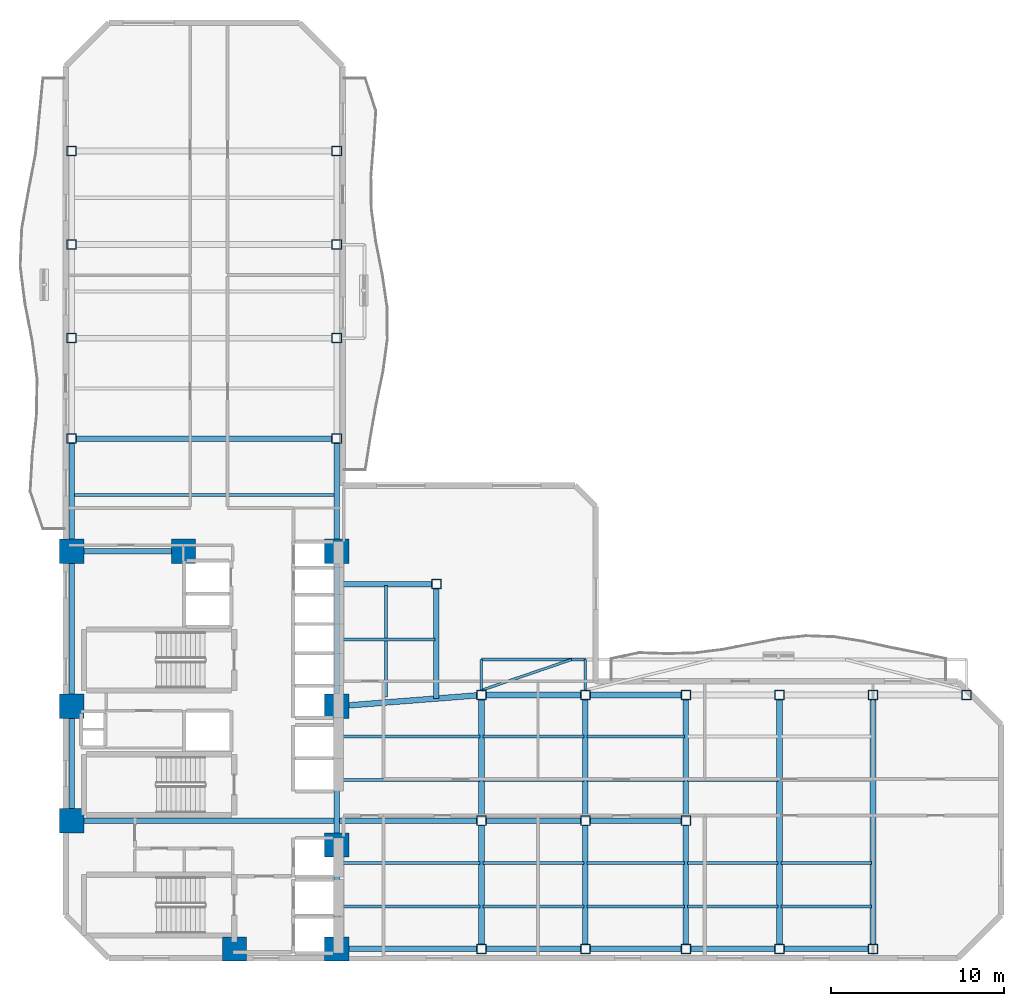
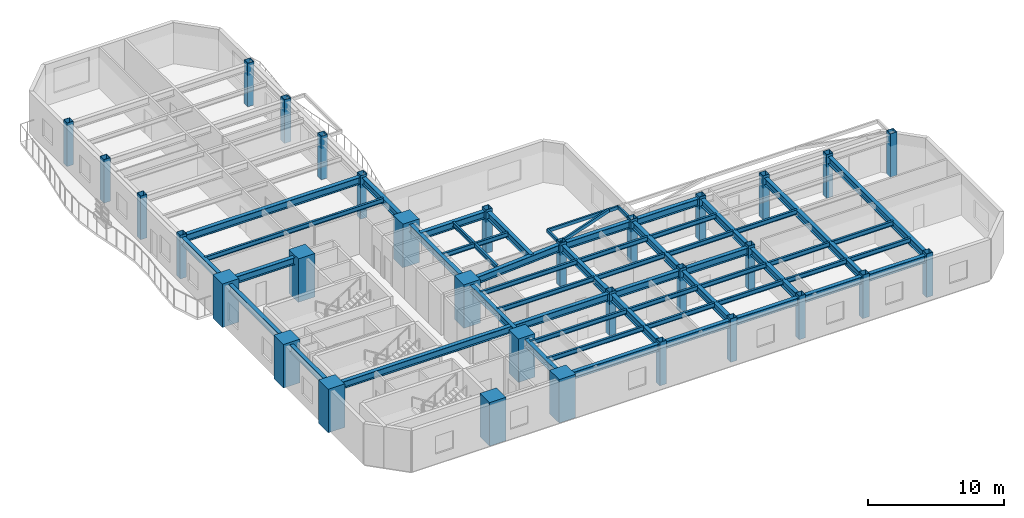
# One storey, part 1 of 10: 54 beams, 32 columns.
"""IFC4 building model written with IfcOpenShell, lengths in metres."""

from ifc_helpers import new_model, si_unit, direction, frame, origin, origin_2d, place, context, subcontext, project, spatial, rectangle, hollow_rectangle, i_section, extrude, material, material_profile, profile_set, type_object, element, save


model = new_model("IFC4")

# Units and contexts
model_context = context("Model", 3, precision=1e-05, world=origin(), true_north=direction((0.0, 1.0)))
body_context = subcontext(model_context, "Body", "Model", "MODEL_VIEW")
ifc_project = project(units=[si_unit("LENGTHUNIT", "METRE"), si_unit("AREAUNIT", "SQUARE_METRE"), si_unit("VOLUMEUNIT", "CUBIC_METRE"), si_unit("PLANEANGLEUNIT", "RADIAN"), si_unit("MASSUNIT", "GRAM", prefix="KILO")], contexts=[model_context])

# Site, building, storey
site_placement = place(None, origin())
site = spatial("IfcSite", under=ifc_project, at=site_placement, CompositionType="ELEMENT")
building_placement = place(site_placement, origin())
building = spatial("IfcBuilding", under=site, at=building_placement, Name="Mawjaban Terraces University", CompositionType="ELEMENT")
storey_placement = place(building_placement, frame((0.0, 0.0, 58.300048828125)))
storey = spatial("IfcBuildingStorey", under=building, at=storey_placement, Name="L13", CompositionType="ELEMENT", Elevation=58.300048828125)

# Columns
ifc_material_1 = material(Name="Concrete C70/85", Category="concrete")
ifc_material_profile_1 = material_profile(ifc_material_1, rectangle(XDim=1.39990234375, YDim=1.39990234375, at=origin_2d()), Name="RC1400X1400")
ifc_profile_set_1 = profile_set([ifc_material_profile_1], Name="Concrete C70/85")
column_type_1 = type_object("IfcColumnType", Name="Col_RC1400X1400", PredefinedType="COLUMN", material=ifc_profile_set_1)
for number, where, z_axis, x_axis, name in (
    (1, (31.75, 0.550048828125, 0.0), (0.0, 0.0, 1.0), (1.0, 0.0, 0.0), "L13 Column CC2"),
    (2, (37.64990234375, 0.550048828125, 0.0), (0.0, 0.0, 1.0), (1.0, 0.0, 0.0), "L13 Column CC3"),
    (3, (22.35009765625, 7.949951171875, 0.0), (0.0, 0.0, 1.0), (1.0, 0.0, 0.0), "L13 Column CC4"),
    (4, (37.64990234375, 6.550048828125, 0.0), (0.0, 0.0, 1.0), (1.0, 0.0, 0.0), "L13 Column CC5"),
    (5, (22.35009765625, 14.550048828125, 0.0), (0.0, 0.0, 1.0), (1.0, 0.0, 0.0), "L13 Column CC6"),
    (6, (37.64990234375, 14.550048828125, 0.0), (0.0, 0.0, 1.0), (1.0, 0.0, 0.0), "L13 Column CC7"),
    (7, (22.35009765625, 23.5, 0.0), (0.0, 0.0, 1.0), (1.0, 0.0, 0.0), "L13 Column CC8"),
    (8, (28.800048828125, 23.5, 0.0), (0.0, 0.0, 1.0), (1.0, 0.0, 0.0), "L13 Column CC9"),
    (9, (37.64990234375, 23.5, 0.0), (0.0, 0.0, 1.0), (1.0, 0.0, 0.0), "L13 Column CC10"),
):
    element("IfcColumn", number, at=place(storey_placement, frame(where, z_axis=z_axis, x_axis=x_axis)), inside=storey, type_object=column_type_1, Name=name, PredefinedType="COLUMN", context=body_context, shape_type="SweptSolid", body=[
        extrude(rectangle(XDim=1.39990234375, YDim=1.39990234375, at=origin_2d()), origin(), (0.0, 0.0, 1.0), 3.89990234375),
    ])
ifc_material_2 = material(Name="Steel EN 10210-1 S355J2H", Category="steel")
ifc_material_profile_2 = material_profile(ifc_material_2, hollow_rectangle(XDim=0.550048828125, YDim=0.550048828125, WallThickness=0.02490234375, at=origin_2d()), Name="SHS550X550X25")
ifc_profile_set_2 = profile_set([ifc_material_profile_2], Name="Steel EN 10210-1 S355J2H")
column_type_2 = type_object("IfcColumnType", Name="Col_SHS550X550X25", PredefinedType="COLUMN", material=ifc_profile_set_2)
for number, where, z_axis, x_axis, name in (
    (10, (46.0, 0.550048828125, 0.0), (0.0, 0.0, 1.0), (1.0, 0.0, 0.0), "L13 Column TE-460-005"),
    (11, (46.0, 7.949951171875, 0.0), (0.0, 0.0, 1.0), (1.0, 0.0, 0.0), "L13 Column TE-460-080"),
    (12, (46.0, 15.199951171875, 0.0), (0.0, 0.0, 1.0), (1.0, 0.0, 0.0), "L13 Column TE-460-152"),
    (13, (52.0, 0.550048828125, 0.0), (0.0, 0.0, 1.0), (1.0, 0.0, 0.0), "L13 Column TE-520-005"),
    (14, (52.0, 7.949951171875, 0.0), (0.0, 0.0, 1.0), (1.0, 0.0, 0.0), "L13 Column TE-520-080"),
    (15, (52.0, 15.199951171875, 0.0), (0.0, 0.0, 1.0), (1.0, 0.0, 0.0), "L13 Column TE-520-152"),
    (16, (57.800048828125, 0.550048828125, 0.0), (0.0, 0.0, 1.0), (1.0, 0.0, 0.0), "L13 Column TE-578-005"),
    (17, (57.800048828125, 7.949951171875, 0.0), (0.0, 0.0, 1.0), (1.0, 0.0, 0.0), "L13 Column TE-578-080"),
    (18, (57.800048828125, 15.199951171875, 0.0), (0.0, 0.0, 1.0), (1.0, 0.0, 0.0), "L13 Column TE-578-152"),
    (19, (63.199951171875, 0.550048828125, 0.0), (0.0, 0.0, 1.0), (1.0, 0.0, 0.0), "L13 Column TE-632-005"),
    (20, (63.199951171875, 15.199951171875, 0.0), (0.0, 0.0, 1.0), (1.0, 0.0, 0.0), "L13 Column TE-632-152"),
    (21, (68.60009765625, 0.550048828125, 0.0), (0.0, 0.0, 1.0), (1.0, 0.0, 0.0), "L13 Column TE-686-005"),
    (22, (68.60009765625, 15.199951171875, 0.0), (0.0, 0.0, 1.0), (1.0, 0.0, 0.0), "L13 Column TE-686-152"),
    (23, (74.0, 15.199951171875, 0.0), (0.0, 0.0, 1.0), (1.0, 0.0, 0.0), "L13 Column TE-740-152"),
    (24, (22.35009765625, 30.0, 0.0), (0.0, 0.0, 1.0), (1.0, 0.0, 0.0), "L13 Column TN-223-300"),
    (25, (37.64990234375, 30.0, 0.0), (0.0, 0.0, 1.0), (1.0, 0.0, 0.0), "L13 Column TN-376-300"),
    (26, (22.35009765625, 35.800048828125, 0.0), (0.0, 0.0, 1.0), (1.0, 0.0, 0.0), "L13 Column TN-223-358"),
    (27, (37.64990234375, 35.800048828125, 0.0), (0.0, 0.0, 1.0), (1.0, 0.0, 0.0), "L13 Column TN-376-358"),
    (28, (22.35009765625, 41.199951171875, 0.0), (0.0, 0.0, 1.0), (1.0, 0.0, 0.0), "L13 Column TN-223-412"),
    (29, (37.64990234375, 41.199951171875, 0.0), (0.0, 0.0, 1.0), (1.0, 0.0, 0.0), "L13 Column TN-376-412"),
    (30, (22.35009765625, 46.60009765625, 0.0), (0.0, 0.0, 1.0), (1.0, 0.0, 0.0), "L13 Column TN-223-466"),
    (31, (37.64990234375, 46.60009765625, 0.0), (0.0, 0.0, 1.0), (1.0, 0.0, 0.0), "L13 Column TN-376-466"),
    (32, (43.39990234375, 21.60009765625, 0.0), (0.0, 0.0, 1.0), (1.0, 0.0, 0.0), "L13 Column TS-434-216"),
):
    element("IfcColumn", number, at=place(storey_placement, frame(where, z_axis=z_axis, x_axis=x_axis)), inside=storey, type_object=column_type_2, Name=name, PredefinedType="COLUMN", context=body_context, shape_type="SweptSolid", body=[
        extrude(hollow_rectangle(XDim=0.550048828125, YDim=0.550048828125, WallThickness=0.02490234375, at=origin_2d()), origin(), (0.0, 0.0, 1.0), 3.89990234375),
    ])

# Beams
ifc_material_profile_3 = material_profile(ifc_material_2, hollow_rectangle(XDim=0.14990234375, YDim=0.300048828125, WallThickness=0.012451171875, at=origin_2d()), Name="RHS300X150X12.5")
ifc_profile_set_3 = profile_set([ifc_material_profile_3], Name="Steel EN 10210-1 S355J2H")
beam_type_1 = type_object("IfcBeamType", Name="BalconyCantileverSpandrel_RHS", PredefinedType="SPANDREL", material=ifc_profile_set_3)
for number, where, z_axis, x_axis, name in (
    (33, (52.0, 15.47509765625, 3.5400390625), (0.0, 1.0, 0.0), (-1.0, 0.0, 0.0), "L13 Exterior Outrigger BAL-L14-N.1"),
    (34, (46.0, 15.47509765625, 3.5400390625), (0.0, 1.0, 0.0), (-1.0, 0.0, 0.0), "L13 Exterior Outrigger TER-L14-CLIMB.1"),
):
    element("IfcBeam", number, at=place(storey_placement, frame(where, z_axis=z_axis, x_axis=x_axis)), inside=storey, type_object=beam_type_1, Name=name, PredefinedType="SPANDREL", context=body_context, shape_type="SweptSolid", body=[
        extrude(hollow_rectangle(XDim=0.14990234375, YDim=0.300048828125, WallThickness=0.012451171875, at=origin_2d()), origin(), (0.0, 0.0, 1.0), 1.77490234375),
    ])
beam_1_placement = place(storey_placement, frame((46.0, 17.25, 3.5400390625), z_axis=(1.0, 0.0, 0.0), x_axis=(0.0, 1.0, 0.0)))
element("IfcBeam", 35, at=beam_1_placement, inside=storey, type_object=beam_type_1, Name="L13 Exterior Edge Spandrel TER-L14-CLIMB", PredefinedType="SPANDREL", context=body_context, shape_type="SweptSolid", body=[
    extrude(hollow_rectangle(XDim=0.14990234375, YDim=0.300048828125, WallThickness=0.012451171875, at=origin_2d()), origin(), (0.0, 0.0, 1.0), 6.0),
])
beam_2_placement = place(storey_placement, frame((46.0, 15.47509765625, 3.5400390625), z_axis=(0.946388293666, 0.323031264141, 0.0), x_axis=(-0.323031264141, 0.946388293666, 0.0)))
element("IfcBeam", 36, at=beam_2_placement, inside=storey, type_object=beam_type_1, Name="L13 Exterior Diagonal Strut TER-L14-CLIMB.1", PredefinedType="SPANDREL", context=body_context, shape_type="SweptSolid", body=[
    extrude(hollow_rectangle(XDim=0.14990234375, YDim=0.300048828125, WallThickness=0.012451171875, at=origin_2d()), origin(), (0.0, 0.0, 1.0), 5.49462890625),
])
ifc_material_3 = material(Name="Steel ASTM A572 Grade 50", Category="steel")
ifc_material_profile_4 = material_profile(ifc_material_3, i_section(OverallWidth=0.3291015625, OverallDepth=0.635009765625, WebThickness=0.017822265625, FlangeThickness=0.031005859375, at=origin_2d()), Name="W610X241")
ifc_profile_set_4 = profile_set([ifc_material_profile_4], Name="Steel ASTM A572 Grade 50")
beam_type_2 = type_object("IfcBeamType", Name="Beam_B_W610X241", PredefinedType="BEAM", material=ifc_profile_set_4)
beam_3_placement = place(storey_placement, frame((38.35009765625, 0.550048828125, 3.3720703125), z_axis=(1.0, 0.0, 0.0), x_axis=(0.0, 1.0, 0.0)))
element("IfcBeam", 37, at=beam_3_placement, inside=storey, type_object=beam_type_2, Name="L13 Beam BM-L13-EW-01", PredefinedType="BEAM", context=body_context, shape_type="SweptSolid", body=[
    extrude(i_section(OverallWidth=0.3291015625, OverallDepth=0.635009765625, WebThickness=0.017822265625, FlangeThickness=0.031005859375, at=origin_2d()), origin(), (0.0, 0.0, 1.0), 7.375),
])
beam_4_placement = place(storey_placement, frame((46.27490234375, 0.550048828125, 3.3720703125), z_axis=(1.0, 0.0, 0.0), x_axis=(0.0, 1.0, 0.0)))
element("IfcBeam", 38, at=beam_4_placement, inside=storey, type_object=beam_type_2, Name="L13 Beam BM-L13-EW-02", PredefinedType="BEAM", context=body_context, shape_type="SweptSolid", body=[
    extrude(i_section(OverallWidth=0.3291015625, OverallDepth=0.635009765625, WebThickness=0.017822265625, FlangeThickness=0.031005859375, at=origin_2d()), origin(), (0.0, 0.0, 1.0), 5.4501953125),
])
beam_5_placement = place(storey_placement, frame((52.27490234375, 0.550048828125, 3.3720703125), z_axis=(1.0, 0.0, 0.0), x_axis=(0.0, 1.0, 0.0)))
element("IfcBeam", 39, at=beam_5_placement, inside=storey, type_object=beam_type_2, Name="L13 Beam BM-L13-EW-03", PredefinedType="BEAM", context=body_context, shape_type="SweptSolid", body=[
    extrude(i_section(OverallWidth=0.3291015625, OverallDepth=0.635009765625, WebThickness=0.017822265625, FlangeThickness=0.031005859375, at=origin_2d()), origin(), (0.0, 0.0, 1.0), 5.25),
])
beam_6_placement = place(storey_placement, frame((58.074951171875, 0.550048828125, 3.3720703125), z_axis=(1.0, 0.0, 0.0), x_axis=(0.0, 1.0, 0.0)))
element("IfcBeam", 40, at=beam_6_placement, inside=storey, type_object=beam_type_2, Name="L13 Beam BM-L13-EW-04", PredefinedType="BEAM", context=body_context, shape_type="SweptSolid", body=[
    extrude(i_section(OverallWidth=0.3291015625, OverallDepth=0.635009765625, WebThickness=0.017822265625, FlangeThickness=0.031005859375, at=origin_2d()), origin(), (0.0, 0.0, 1.0), 4.85009765625),
])
beam_7_placement = place(storey_placement, frame((63.47509765625, 0.550048828125, 3.3720703125), z_axis=(1.0, 0.0, 0.0), x_axis=(0.0, 1.0, 0.0)))
element("IfcBeam", 41, at=beam_7_placement, inside=storey, type_object=beam_type_2, Name="L13 Beam BM-L13-EW-05", PredefinedType="BEAM", context=body_context, shape_type="SweptSolid", body=[
    extrude(i_section(OverallWidth=0.3291015625, OverallDepth=0.635009765625, WebThickness=0.017822265625, FlangeThickness=0.031005859375, at=origin_2d()), origin(), (0.0, 0.0, 1.0), 4.849853515625),
])
beam_8_placement = place(storey_placement, frame((23.050048828125, 7.949951171875, 3.3720703125), z_axis=(1.0, 0.0, 0.0), x_axis=(0.0, 1.0, 0.0)))
element("IfcBeam", 42, at=beam_8_placement, inside=storey, type_object=beam_type_2, Name="L13 Beam BM-L13-EW-06", PredefinedType="BEAM", context=body_context, shape_type="SweptSolid", body=[
    extrude(i_section(OverallWidth=0.3291015625, OverallDepth=0.635009765625, WebThickness=0.017822265625, FlangeThickness=0.031005859375, at=origin_2d()), origin(), (0.0, 0.0, 1.0), 22.675048828125),
])
beam_9_placement = place(storey_placement, frame((46.27490234375, 7.949951171875, 3.3720703125), z_axis=(1.0, 0.0, 0.0), x_axis=(0.0, 1.0, 0.0)))
element("IfcBeam", 43, at=beam_9_placement, inside=storey, type_object=beam_type_2, Name="L13 Beam BM-L13-EW-07", PredefinedType="BEAM", context=body_context, shape_type="SweptSolid", body=[
    extrude(i_section(OverallWidth=0.3291015625, OverallDepth=0.635009765625, WebThickness=0.017822265625, FlangeThickness=0.031005859375, at=origin_2d()), origin(), (0.0, 0.0, 1.0), 5.4501953125),
])
beam_10_placement = place(storey_placement, frame((52.27490234375, 7.949951171875, 3.3720703125), z_axis=(1.0, 0.0, 0.0), x_axis=(0.0, 1.0, 0.0)))
element("IfcBeam", 44, at=beam_10_placement, inside=storey, type_object=beam_type_2, Name="L13 Beam BM-L13-EW-08", PredefinedType="BEAM", context=body_context, shape_type="SweptSolid", body=[
    extrude(i_section(OverallWidth=0.3291015625, OverallDepth=0.635009765625, WebThickness=0.017822265625, FlangeThickness=0.031005859375, at=origin_2d()), origin(), (0.0, 0.0, 1.0), 5.25),
])
beam_11_placement = place(storey_placement, frame((46.27490234375, 15.199951171875, 3.3720703125), z_axis=(1.0, 0.0, 0.0), x_axis=(0.0, 1.0, 0.0)))
element("IfcBeam", 45, at=beam_11_placement, inside=storey, type_object=beam_type_2, Name="L13 Beam BM-L13-EW-09", PredefinedType="BEAM", context=body_context, shape_type="SweptSolid", body=[
    extrude(i_section(OverallWidth=0.3291015625, OverallDepth=0.635009765625, WebThickness=0.017822265625, FlangeThickness=0.031005859375, at=origin_2d()), origin(), (0.0, 0.0, 1.0), 5.4501953125),
])
beam_12_placement = place(storey_placement, frame((52.27490234375, 15.199951171875, 3.3720703125), z_axis=(1.0, 0.0, 0.0), x_axis=(0.0, 1.0, 0.0)))
element("IfcBeam", 46, at=beam_12_placement, inside=storey, type_object=beam_type_2, Name="L13 Beam BM-L13-EW-10", PredefinedType="BEAM", context=body_context, shape_type="SweptSolid", body=[
    extrude(i_section(OverallWidth=0.3291015625, OverallDepth=0.635009765625, WebThickness=0.017822265625, FlangeThickness=0.031005859375, at=origin_2d()), origin(), (0.0, 0.0, 1.0), 5.25),
])
beam_13_placement = place(storey_placement, frame((23.050048828125, 23.5, 3.3720703125), z_axis=(1.0, 0.0, 0.0), x_axis=(0.0, 1.0, 0.0)))
element("IfcBeam", 47, at=beam_13_placement, inside=storey, type_object=beam_type_2, Name="L13 Beam BM-L13-EW-14", PredefinedType="BEAM", context=body_context, shape_type="SweptSolid", body=[
    extrude(i_section(OverallWidth=0.3291015625, OverallDepth=0.635009765625, WebThickness=0.017822265625, FlangeThickness=0.031005859375, at=origin_2d()), origin(), (0.0, 0.0, 1.0), 5.050048828125),
])
beam_14_placement = place(storey_placement, frame((22.625, 30.0, 3.3720703125), z_axis=(1.0, 0.0, 0.0), x_axis=(0.0, 1.0, 0.0)))
element("IfcBeam", 48, at=beam_14_placement, inside=storey, type_object=beam_type_2, Name="L13 Beam BM-L13-EW-15", PredefinedType="BEAM", context=body_context, shape_type="SweptSolid", body=[
    extrude(i_section(OverallWidth=0.3291015625, OverallDepth=0.635009765625, WebThickness=0.017822265625, FlangeThickness=0.031005859375, at=origin_2d()), origin(), (0.0, 0.0, 1.0), 14.75),
])
beam_15_placement = place(storey_placement, frame((22.35009765625, 8.64990234375, 3.3720703125), z_axis=(0.0, 1.0, 0.0), x_axis=(-1.0, 0.0, 0.0)))
element("IfcBeam", 49, at=beam_15_placement, inside=storey, type_object=beam_type_2, Name="L13 Beam BM-L13-NS-01", PredefinedType="BEAM", context=body_context, shape_type="SweptSolid", body=[
    extrude(i_section(OverallWidth=0.3291015625, OverallDepth=0.635009765625, WebThickness=0.017822265625, FlangeThickness=0.031005859375, at=origin_2d()), origin(), (0.0, 0.0, 1.0), 5.2001953125),
])
beam_16_placement = place(storey_placement, frame((22.35009765625, 15.25, 3.3720703125), z_axis=(0.0, 1.0, 0.0), x_axis=(-1.0, 0.0, 0.0)))
element("IfcBeam", 50, at=beam_16_placement, inside=storey, type_object=beam_type_2, Name="L13 Beam BM-L13-NS-02", PredefinedType="BEAM", context=body_context, shape_type="SweptSolid", body=[
    extrude(i_section(OverallWidth=0.3291015625, OverallDepth=0.635009765625, WebThickness=0.017822265625, FlangeThickness=0.031005859375, at=origin_2d()), origin(), (0.0, 0.0, 1.0), 7.550048828125),
])
beam_17_placement = place(storey_placement, frame((22.35009765625, 24.199951171875, 3.3720703125), z_axis=(0.0, 1.0, 0.0), x_axis=(-1.0, 0.0, 0.0)))
element("IfcBeam", 51, at=beam_17_placement, inside=storey, type_object=beam_type_2, Name="L13 Beam BM-L13-NS-03", PredefinedType="BEAM", context=body_context, shape_type="SweptSolid", body=[
    extrude(i_section(OverallWidth=0.3291015625, OverallDepth=0.635009765625, WebThickness=0.017822265625, FlangeThickness=0.031005859375, at=origin_2d()), origin(), (0.0, 0.0, 1.0), 5.525146484375),
])
beam_18_placement = place(storey_placement, frame((37.64990234375, 1.25, 3.3720703125), z_axis=(0.0, 1.0, 0.0), x_axis=(-1.0, 0.0, 0.0)))
element("IfcBeam", 52, at=beam_18_placement, inside=storey, type_object=beam_type_2, Name="L13 Beam BM-L13-NS-07", PredefinedType="BEAM", context=body_context, shape_type="SweptSolid", body=[
    extrude(i_section(OverallWidth=0.3291015625, OverallDepth=0.635009765625, WebThickness=0.017822265625, FlangeThickness=0.031005859375, at=origin_2d()), origin(), (0.0, 0.0, 1.0), 4.60009765625),
])
beam_19_placement = place(storey_placement, frame((37.64990234375, 7.25, 3.3720703125), z_axis=(0.0, 1.0, 0.0), x_axis=(-1.0, 0.0, 0.0)))
element("IfcBeam", 53, at=beam_19_placement, inside=storey, type_object=beam_type_2, Name="L13 Beam BM-L13-NS-08", PredefinedType="BEAM", context=body_context, shape_type="SweptSolid", body=[
    extrude(i_section(OverallWidth=0.3291015625, OverallDepth=0.635009765625, WebThickness=0.017822265625, FlangeThickness=0.031005859375, at=origin_2d()), origin(), (0.0, 0.0, 1.0), 6.60009765625),
])
beam_20_placement = place(storey_placement, frame((37.64990234375, 15.25, 3.3720703125), z_axis=(0.0, 1.0, 0.0), x_axis=(-1.0, 0.0, 0.0)))
element("IfcBeam", 54, at=beam_20_placement, inside=storey, type_object=beam_type_2, Name="L13 Beam BM-L13-NS-09", PredefinedType="BEAM", context=body_context, shape_type="SweptSolid", body=[
    extrude(i_section(OverallWidth=0.3291015625, OverallDepth=0.635009765625, WebThickness=0.017822265625, FlangeThickness=0.031005859375, at=origin_2d()), origin(), (0.0, 0.0, 1.0), 7.550048828125),
])
beam_21_placement = place(storey_placement, frame((37.64990234375, 24.199951171875, 3.3720703125), z_axis=(0.0, 1.0, 0.0), x_axis=(-1.0, 0.0, 0.0)))
element("IfcBeam", 55, at=beam_21_placement, inside=storey, type_object=beam_type_2, Name="L13 Beam BM-L13-NS-10", PredefinedType="BEAM", context=body_context, shape_type="SweptSolid", body=[
    extrude(i_section(OverallWidth=0.3291015625, OverallDepth=0.635009765625, WebThickness=0.017822265625, FlangeThickness=0.031005859375, at=origin_2d()), origin(), (0.0, 0.0, 1.0), 5.525146484375),
])
beam_22_placement = place(storey_placement, frame((46.0, 0.824951171875, 3.3720703125), z_axis=(0.0, 1.0, 0.0), x_axis=(-1.0, 0.0, 0.0)))
element("IfcBeam", 56, at=beam_22_placement, inside=storey, type_object=beam_type_2, Name="L13 Beam BM-L13-NS-14", PredefinedType="BEAM", context=body_context, shape_type="SweptSolid", body=[
    extrude(i_section(OverallWidth=0.3291015625, OverallDepth=0.635009765625, WebThickness=0.017822265625, FlangeThickness=0.031005859375, at=origin_2d()), origin(), (0.0, 0.0, 1.0), 6.85009765625),
])
beam_23_placement = place(storey_placement, frame((46.0, 8.22509765625, 3.3720703125), z_axis=(0.0, 1.0, 0.0), x_axis=(-1.0, 0.0, 0.0)))
element("IfcBeam", 57, at=beam_23_placement, inside=storey, type_object=beam_type_2, Name="L13 Beam BM-L13-NS-15", PredefinedType="BEAM", context=body_context, shape_type="SweptSolid", body=[
    extrude(i_section(OverallWidth=0.3291015625, OverallDepth=0.635009765625, WebThickness=0.017822265625, FlangeThickness=0.031005859375, at=origin_2d()), origin(), (0.0, 0.0, 1.0), 6.699951171875),
])
beam_24_placement = place(storey_placement, frame((52.0, 0.824951171875, 3.3720703125), z_axis=(0.0, 1.0, 0.0), x_axis=(-1.0, 0.0, 0.0)))
element("IfcBeam", 58, at=beam_24_placement, inside=storey, type_object=beam_type_2, Name="L13 Beam BM-L13-NS-16", PredefinedType="BEAM", context=body_context, shape_type="SweptSolid", body=[
    extrude(i_section(OverallWidth=0.3291015625, OverallDepth=0.635009765625, WebThickness=0.017822265625, FlangeThickness=0.031005859375, at=origin_2d()), origin(), (0.0, 0.0, 1.0), 6.85009765625),
])
beam_25_placement = place(storey_placement, frame((52.0, 8.22509765625, 3.3720703125), z_axis=(0.0, 1.0, 0.0), x_axis=(-1.0, 0.0, 0.0)))
element("IfcBeam", 59, at=beam_25_placement, inside=storey, type_object=beam_type_2, Name="L13 Beam BM-L13-NS-17", PredefinedType="BEAM", context=body_context, shape_type="SweptSolid", body=[
    extrude(i_section(OverallWidth=0.3291015625, OverallDepth=0.635009765625, WebThickness=0.017822265625, FlangeThickness=0.031005859375, at=origin_2d()), origin(), (0.0, 0.0, 1.0), 6.699951171875),
])
beam_26_placement = place(storey_placement, frame((57.800048828125, 0.824951171875, 3.3720703125), z_axis=(0.0, 1.0, 0.0), x_axis=(-1.0, 0.0, 0.0)))
element("IfcBeam", 60, at=beam_26_placement, inside=storey, type_object=beam_type_2, Name="L13 Beam BM-L13-NS-18", PredefinedType="BEAM", context=body_context, shape_type="SweptSolid", body=[
    extrude(i_section(OverallWidth=0.3291015625, OverallDepth=0.635009765625, WebThickness=0.017822265625, FlangeThickness=0.031005859375, at=origin_2d()), origin(), (0.0, 0.0, 1.0), 6.85009765625),
])
beam_27_placement = place(storey_placement, frame((57.800048828125, 8.22509765625, 3.3720703125), z_axis=(0.0, 1.0, 0.0), x_axis=(-1.0, 0.0, 0.0)))
element("IfcBeam", 61, at=beam_27_placement, inside=storey, type_object=beam_type_2, Name="L13 Beam BM-L13-NS-19", PredefinedType="BEAM", context=body_context, shape_type="SweptSolid", body=[
    extrude(i_section(OverallWidth=0.3291015625, OverallDepth=0.635009765625, WebThickness=0.017822265625, FlangeThickness=0.031005859375, at=origin_2d()), origin(), (0.0, 0.0, 1.0), 6.699951171875),
])
for number, where, z_axis, x_axis, name in (
    (62, (63.199951171875, 0.824951171875, 3.3720703125), (0.0, 1.0, 0.0), (-1.0, 0.0, 0.0), "L13 Beam BM-L13-NS-20"),
    (63, (68.60009765625, 0.824951171875, 3.3720703125), (0.0, 1.0, 0.0), (-1.0, 0.0, 0.0), "L13 Beam BM-L13-NS-21"),
):
    element("IfcBeam", number, at=place(storey_placement, frame(where, z_axis=z_axis, x_axis=x_axis)), inside=storey, type_object=beam_type_2, Name=name, PredefinedType="BEAM", context=body_context, shape_type="SweptSolid", body=[
        extrude(i_section(OverallWidth=0.3291015625, OverallDepth=0.635009765625, WebThickness=0.017822265625, FlangeThickness=0.031005859375, at=origin_2d()), origin(), (0.0, 0.0, 1.0), 14.10009765625),
    ])
beam_28_placement = place(storey_placement, frame((38.347900390625, 14.60400390625, 3.3720703125), z_axis=(0.996977531908, 0.077690416851, 0.0), x_axis=(-0.077690416851, 0.996977531908, 0.0)))
element("IfcBeam", 64, at=beam_28_placement, inside=storey, type_object=beam_type_2, Name="L13 Beam BM-L13-CTIE", PredefinedType="BEAM", context=body_context, shape_type="SweptSolid", body=[
    extrude(i_section(OverallWidth=0.3291015625, OverallDepth=0.635009765625, WebThickness=0.017822265625, FlangeThickness=0.031005859375, at=origin_2d()), origin(), (0.0, 0.0, 1.0), 7.400634765625),
])
beam_29_placement = place(storey_placement, frame((37.679931640625, 21.60009765625, 3.3720703125), z_axis=(1.0, 0.0, 0.0), x_axis=(0.0, 1.0, 0.0)))
element("IfcBeam", 65, at=beam_29_placement, inside=storey, type_object=beam_type_2, Name="L13 Spur Tie Girder West", PredefinedType="BEAM", context=body_context, shape_type="SweptSolid", body=[
    extrude(i_section(OverallWidth=0.3291015625, OverallDepth=0.635009765625, WebThickness=0.017822265625, FlangeThickness=0.031005859375, at=origin_2d()), origin(), (0.0, 0.0, 1.0), 5.445068359375),
])
beam_30_placement = place(storey_placement, frame((43.39990234375, 15.0, 3.3720703125), z_axis=(0.0, 1.0, 0.0), x_axis=(-1.0, 0.0, 0.0)))
element("IfcBeam", 66, at=beam_30_placement, inside=storey, type_object=beam_type_2, Name="L13 Spur Tie Girder South", PredefinedType="BEAM", context=body_context, shape_type="SweptSolid", body=[
    extrude(i_section(OverallWidth=0.3291015625, OverallDepth=0.635009765625, WebThickness=0.017822265625, FlangeThickness=0.031005859375, at=origin_2d()), origin(), (0.0, 0.0, 1.0), 6.324951171875),
])
ifc_material_profile_5 = material_profile(ifc_material_3, i_section(OverallWidth=0.179931640625, OverallDepth=0.4130859375, WebThickness=0.009765625, FlangeThickness=0.01611328125, at=origin_2d()), Name="W410X74")
ifc_profile_set_5 = profile_set([ifc_material_profile_5], Name="Steel ASTM A572 Grade 50")
beam_type_3 = type_object("IfcBeamType", Name="Beam_J_W410X74", PredefinedType="JOIST", material=ifc_profile_set_5)
beam_31_placement = place(storey_placement, frame((37.72998046875, 3.0, 3.48388671875), z_axis=(1.0, 0.0, 0.0), x_axis=(0.0, 1.0, 0.0)))
element("IfcBeam", 67, at=beam_31_placement, inside=storey, type_object=beam_type_3, Name="L13 Composite Joist JST-L13-01", PredefinedType="JOIST", context=body_context, shape_type="SweptSolid", body=[
    extrude(i_section(OverallWidth=0.179931640625, OverallDepth=0.4130859375, WebThickness=0.009765625, FlangeThickness=0.01611328125, at=origin_2d()), origin(), (0.0, 0.0, 1.0), 8.18994140625),
])
beam_32_placement = place(storey_placement, frame((46.080078125, 3.0, 3.48388671875), z_axis=(1.0, 0.0, 0.0), x_axis=(0.0, 1.0, 0.0)))
element("IfcBeam", 68, at=beam_32_placement, inside=storey, type_object=beam_type_3, Name="L13 Composite Joist JST-L13-02", PredefinedType="JOIST", context=body_context, shape_type="SweptSolid", body=[
    extrude(i_section(OverallWidth=0.179931640625, OverallDepth=0.4130859375, WebThickness=0.009765625, FlangeThickness=0.01611328125, at=origin_2d()), origin(), (0.0, 0.0, 1.0), 5.83984375),
])
beam_33_placement = place(storey_placement, frame((52.080078125, 3.0, 3.48388671875), z_axis=(1.0, 0.0, 0.0), x_axis=(0.0, 1.0, 0.0)))
element("IfcBeam", 69, at=beam_33_placement, inside=storey, type_object=beam_type_3, Name="L13 Composite Joist JST-L13-03", PredefinedType="JOIST", context=body_context, shape_type="SweptSolid", body=[
    extrude(i_section(OverallWidth=0.179931640625, OverallDepth=0.4130859375, WebThickness=0.009765625, FlangeThickness=0.01611328125, at=origin_2d()), origin(), (0.0, 0.0, 1.0), 5.639892578125),
])
beam_34_placement = place(storey_placement, frame((57.8798828125, 3.0, 3.48388671875), z_axis=(1.0, 0.0, 0.0), x_axis=(0.0, 1.0, 0.0)))
element("IfcBeam", 70, at=beam_34_placement, inside=storey, type_object=beam_type_3, Name="L13 Composite Joist JST-L13-04", PredefinedType="JOIST", context=body_context, shape_type="SweptSolid", body=[
    extrude(i_section(OverallWidth=0.179931640625, OverallDepth=0.4130859375, WebThickness=0.009765625, FlangeThickness=0.01611328125, at=origin_2d()), origin(), (0.0, 0.0, 1.0), 5.240234375),
])
beam_35_placement = place(storey_placement, frame((63.280029296875, 3.0, 3.48388671875), z_axis=(1.0, 0.0, 0.0), x_axis=(0.0, 1.0, 0.0)))
element("IfcBeam", 71, at=beam_35_placement, inside=storey, type_object=beam_type_3, Name="L13 Composite Joist JST-L13-05", PredefinedType="JOIST", context=body_context, shape_type="SweptSolid", body=[
    extrude(i_section(OverallWidth=0.179931640625, OverallDepth=0.4130859375, WebThickness=0.009765625, FlangeThickness=0.01611328125, at=origin_2d()), origin(), (0.0, 0.0, 1.0), 5.239990234375),
])
beam_36_placement = place(storey_placement, frame((37.72998046875, 5.5, 3.48388671875), z_axis=(1.0, 0.0, 0.0), x_axis=(0.0, 1.0, 0.0)))
element("IfcBeam", 72, at=beam_36_placement, inside=storey, type_object=beam_type_3, Name="L13 Composite Joist JST-L13-06", PredefinedType="JOIST", context=body_context, shape_type="SweptSolid", body=[
    extrude(i_section(OverallWidth=0.179931640625, OverallDepth=0.4130859375, WebThickness=0.009765625, FlangeThickness=0.01611328125, at=origin_2d()), origin(), (0.0, 0.0, 1.0), 8.18994140625),
])
beam_37_placement = place(storey_placement, frame((46.080078125, 5.5, 3.48388671875), z_axis=(1.0, 0.0, 0.0), x_axis=(0.0, 1.0, 0.0)))
element("IfcBeam", 73, at=beam_37_placement, inside=storey, type_object=beam_type_3, Name="L13 Composite Joist JST-L13-07", PredefinedType="JOIST", context=body_context, shape_type="SweptSolid", body=[
    extrude(i_section(OverallWidth=0.179931640625, OverallDepth=0.4130859375, WebThickness=0.009765625, FlangeThickness=0.01611328125, at=origin_2d()), origin(), (0.0, 0.0, 1.0), 5.83984375),
])
beam_38_placement = place(storey_placement, frame((52.080078125, 5.5, 3.48388671875), z_axis=(1.0, 0.0, 0.0), x_axis=(0.0, 1.0, 0.0)))
element("IfcBeam", 74, at=beam_38_placement, inside=storey, type_object=beam_type_3, Name="L13 Composite Joist JST-L13-08", PredefinedType="JOIST", context=body_context, shape_type="SweptSolid", body=[
    extrude(i_section(OverallWidth=0.179931640625, OverallDepth=0.4130859375, WebThickness=0.009765625, FlangeThickness=0.01611328125, at=origin_2d()), origin(), (0.0, 0.0, 1.0), 5.639892578125),
])
beam_39_placement = place(storey_placement, frame((57.8798828125, 5.5, 3.48388671875), z_axis=(1.0, 0.0, 0.0), x_axis=(0.0, 1.0, 0.0)))
element("IfcBeam", 75, at=beam_39_placement, inside=storey, type_object=beam_type_3, Name="L13 Composite Joist JST-L13-09", PredefinedType="JOIST", context=body_context, shape_type="SweptSolid", body=[
    extrude(i_section(OverallWidth=0.179931640625, OverallDepth=0.4130859375, WebThickness=0.009765625, FlangeThickness=0.01611328125, at=origin_2d()), origin(), (0.0, 0.0, 1.0), 5.240234375),
])
beam_40_placement = place(storey_placement, frame((63.280029296875, 5.5, 3.48388671875), z_axis=(1.0, 0.0, 0.0), x_axis=(0.0, 1.0, 0.0)))
element("IfcBeam", 76, at=beam_40_placement, inside=storey, type_object=beam_type_3, Name="L13 Composite Joist JST-L13-10", PredefinedType="JOIST", context=body_context, shape_type="SweptSolid", body=[
    extrude(i_section(OverallWidth=0.179931640625, OverallDepth=0.4130859375, WebThickness=0.009765625, FlangeThickness=0.01611328125, at=origin_2d()), origin(), (0.0, 0.0, 1.0), 5.239990234375),
])
beam_41_placement = place(storey_placement, frame((37.72998046875, 10.300048828125, 3.48388671875), z_axis=(1.0, 0.0, 0.0), x_axis=(0.0, 1.0, 0.0)))
element("IfcBeam", 77, at=beam_41_placement, inside=storey, type_object=beam_type_3, Name="L13 Composite Joist JST-L13-11", PredefinedType="JOIST", context=body_context, shape_type="SweptSolid", body=[
    extrude(i_section(OverallWidth=0.179931640625, OverallDepth=0.4130859375, WebThickness=0.009765625, FlangeThickness=0.01611328125, at=origin_2d()), origin(), (0.0, 0.0, 1.0), 8.18994140625),
])
beam_42_placement = place(storey_placement, frame((46.080078125, 10.300048828125, 3.48388671875), z_axis=(1.0, 0.0, 0.0), x_axis=(0.0, 1.0, 0.0)))
element("IfcBeam", 78, at=beam_42_placement, inside=storey, type_object=beam_type_3, Name="L13 Composite Joist JST-L13-12", PredefinedType="JOIST", context=body_context, shape_type="SweptSolid", body=[
    extrude(i_section(OverallWidth=0.179931640625, OverallDepth=0.4130859375, WebThickness=0.009765625, FlangeThickness=0.01611328125, at=origin_2d()), origin(), (0.0, 0.0, 1.0), 5.83984375),
])
beam_43_placement = place(storey_placement, frame((52.080078125, 10.300048828125, 3.48388671875), z_axis=(1.0, 0.0, 0.0), x_axis=(0.0, 1.0, 0.0)))
element("IfcBeam", 79, at=beam_43_placement, inside=storey, type_object=beam_type_3, Name="L13 Composite Joist JST-L13-13", PredefinedType="JOIST", context=body_context, shape_type="SweptSolid", body=[
    extrude(i_section(OverallWidth=0.179931640625, OverallDepth=0.4130859375, WebThickness=0.009765625, FlangeThickness=0.01611328125, at=origin_2d()), origin(), (0.0, 0.0, 1.0), 5.639892578125),
])
beam_44_placement = place(storey_placement, frame((57.8798828125, 10.300048828125, 3.48388671875), z_axis=(1.0, 0.0, 0.0), x_axis=(0.0, 1.0, 0.0)))
element("IfcBeam", 80, at=beam_44_placement, inside=storey, type_object=beam_type_3, Name="L13 Composite Joist JST-L13-14", PredefinedType="JOIST", context=body_context, shape_type="SweptSolid", body=[
    extrude(i_section(OverallWidth=0.179931640625, OverallDepth=0.4130859375, WebThickness=0.009765625, FlangeThickness=0.01611328125, at=origin_2d()), origin(), (0.0, 0.0, 1.0), 5.240234375),
])
beam_45_placement = place(storey_placement, frame((37.72998046875, 12.800048828125, 3.48388671875), z_axis=(1.0, 0.0, 0.0), x_axis=(0.0, 1.0, 0.0)))
element("IfcBeam", 81, at=beam_45_placement, inside=storey, type_object=beam_type_3, Name="L13 Composite Joist JST-L13-16", PredefinedType="JOIST", context=body_context, shape_type="SweptSolid", body=[
    extrude(i_section(OverallWidth=0.179931640625, OverallDepth=0.4130859375, WebThickness=0.009765625, FlangeThickness=0.01611328125, at=origin_2d()), origin(), (0.0, 0.0, 1.0), 8.18994140625),
])
beam_46_placement = place(storey_placement, frame((46.080078125, 12.800048828125, 3.48388671875), z_axis=(1.0, 0.0, 0.0), x_axis=(0.0, 1.0, 0.0)))
element("IfcBeam", 82, at=beam_46_placement, inside=storey, type_object=beam_type_3, Name="L13 Composite Joist JST-L13-17", PredefinedType="JOIST", context=body_context, shape_type="SweptSolid", body=[
    extrude(i_section(OverallWidth=0.179931640625, OverallDepth=0.4130859375, WebThickness=0.009765625, FlangeThickness=0.01611328125, at=origin_2d()), origin(), (0.0, 0.0, 1.0), 5.83984375),
])
beam_47_placement = place(storey_placement, frame((52.080078125, 12.800048828125, 3.48388671875), z_axis=(1.0, 0.0, 0.0), x_axis=(0.0, 1.0, 0.0)))
element("IfcBeam", 83, at=beam_47_placement, inside=storey, type_object=beam_type_3, Name="L13 Composite Joist JST-L13-18", PredefinedType="JOIST", context=body_context, shape_type="SweptSolid", body=[
    extrude(i_section(OverallWidth=0.179931640625, OverallDepth=0.4130859375, WebThickness=0.009765625, FlangeThickness=0.01611328125, at=origin_2d()), origin(), (0.0, 0.0, 1.0), 5.639892578125),
])
beam_48_placement = place(storey_placement, frame((37.72998046875, 18.39990234375, 3.48388671875), z_axis=(1.0, 0.0, 0.0), x_axis=(0.0, 1.0, 0.0)))
element("IfcBeam", 84, at=beam_48_placement, inside=storey, type_object=beam_type_3, Name="L13 Composite Joist JST-L13-21", PredefinedType="JOIST", context=body_context, shape_type="SweptSolid", body=[
    extrude(i_section(OverallWidth=0.179931640625, OverallDepth=0.4130859375, WebThickness=0.009765625, FlangeThickness=0.01611328125, at=origin_2d()), origin(), (0.0, 0.0, 1.0), 5.590087890625),
])
beam_49_placement = place(storey_placement, frame((22.429931640625, 26.75, 3.48388671875), z_axis=(1.0, 0.0, 0.0), x_axis=(0.0, 1.0, 0.0)))
element("IfcBeam", 85, at=beam_49_placement, inside=storey, type_object=beam_type_3, Name="L13 Composite Joist JST-L13-22", PredefinedType="JOIST", context=body_context, shape_type="SweptSolid", body=[
    extrude(i_section(OverallWidth=0.179931640625, OverallDepth=0.4130859375, WebThickness=0.009765625, FlangeThickness=0.01611328125, at=origin_2d()), origin(), (0.0, 0.0, 1.0), 15.14013671875),
])
beam_50_placement = place(storey_placement, frame((40.5, 15.080078125, 3.48388671875), z_axis=(0.0, 1.0, 0.0), x_axis=(-1.0, 0.0, 0.0)))
element("IfcBeam", 86, at=beam_50_placement, inside=storey, type_object=beam_type_3, Name="L13 Composite Joist JST-L13-NS-26", PredefinedType="JOIST", context=body_context, shape_type="SweptSolid", body=[
    extrude(i_section(OverallWidth=0.179931640625, OverallDepth=0.4130859375, WebThickness=0.009765625, FlangeThickness=0.01611328125, at=origin_2d()), origin(), (0.0, 0.0, 1.0), 6.43994140625),
])

save(model, "model.ifc")
